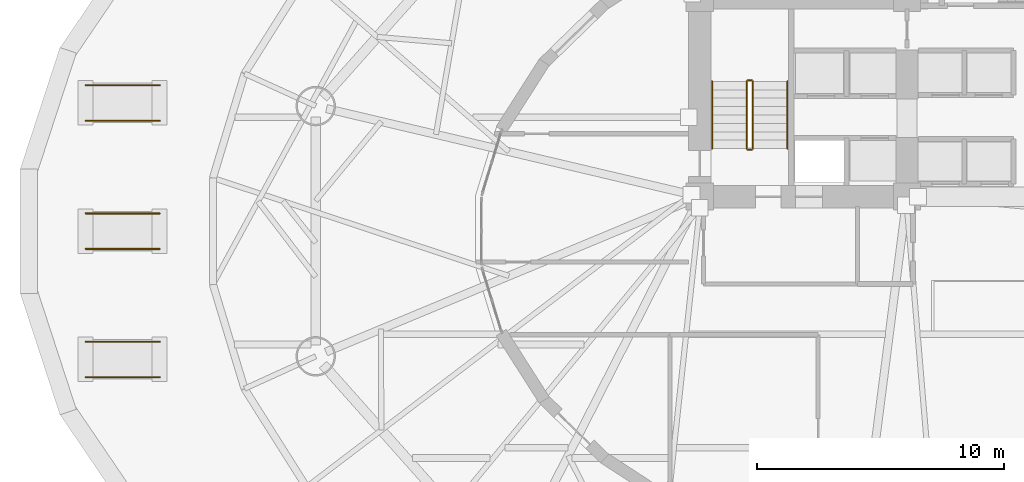
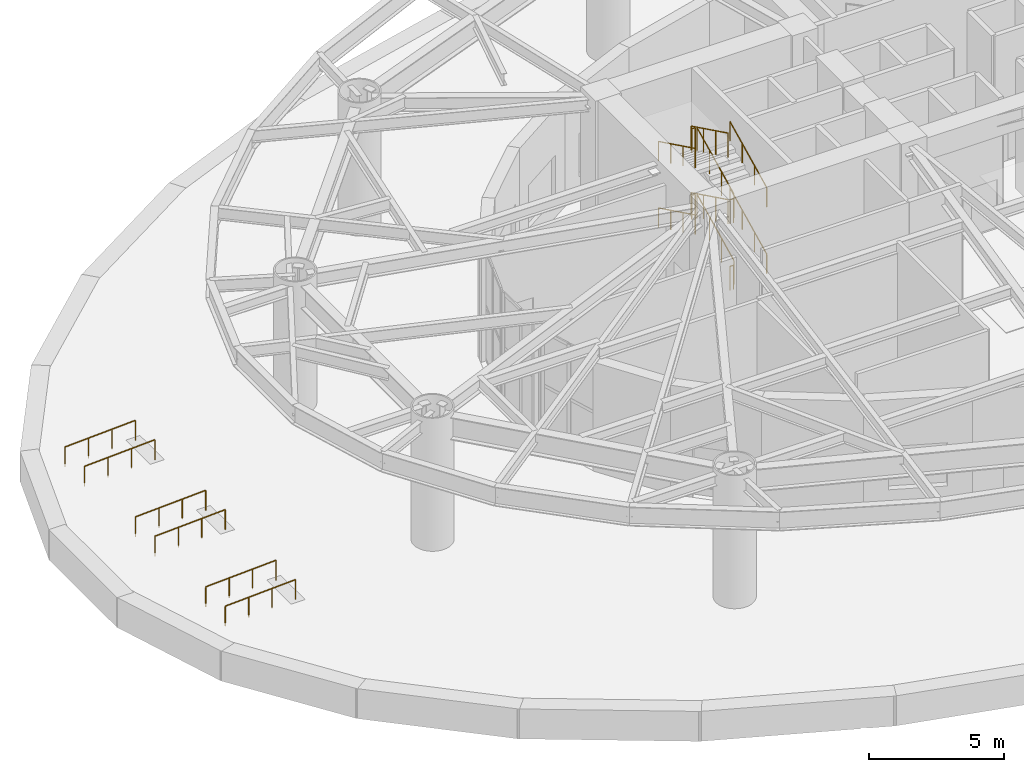
# One storey, part 18 of 21: 18 railings.
"""IFC4 building model written with IfcOpenShell, lengths in metres."""

from ifc_helpers import new_model, si_unit, direction, frame, origin, origin_2d, place, context, subcontext, project, spatial, circle, extrude, material, type_object, element, save


model = new_model("IFC4")

# Units and contexts
model_context = context("Model", 3, precision=1e-05, world=origin(), true_north=direction((0.0, 1.0)))
body_context = subcontext(model_context, "Body", "Model", "MODEL_VIEW")
ifc_project = project(units=[si_unit("LENGTHUNIT", "METRE"), si_unit("AREAUNIT", "SQUARE_METRE"), si_unit("VOLUMEUNIT", "CUBIC_METRE"), si_unit("PLANEANGLEUNIT", "RADIAN"), si_unit("MASSUNIT", "GRAM", prefix="KILO")], contexts=[model_context])

# Site, building, storey
site_placement = place(None, origin())
site = spatial("IfcSite", under=ifc_project, at=site_placement, CompositionType="ELEMENT")
building_placement = place(site_placement, origin())
building = spatial("IfcBuilding", under=site, at=building_placement, Name="Keldmark Tower", CompositionType="ELEMENT")
storey_placement = place(building_placement, origin())
storey = spatial("IfcBuildingStorey", under=building, at=storey_placement, Name="L00", CompositionType="ELEMENT", Elevation=0.0)

# Railings
ifc_material_1 = material(Name="Brushed Stainless Alloy 316L", Category="metal")
railing_type_1 = type_object("IfcRailingType", Name="Accessible Ramp Stainless Handrail 920 mm", PredefinedType="HANDRAIL", material=ifc_material_1)
for number, where, name in (
    (1, (-38.5, -5.919921875, -0.14990234375), "L00 Ramp Handrail W1-L"),
    (2, (-38.5, -4.47998046875, -0.14990234375), "L00 Ramp Handrail W1-R"),
    (3, (-38.5, -0.719970703125, -0.14990234375), "L00 Ramp Handrail W2-L"),
    (4, (-38.5, 0.719970703125, -0.14990234375), "L00 Ramp Handrail W2-R"),
    (5, (-38.5, 4.47998046875, -0.14990234375), "L00 Ramp Handrail W3-L"),
    (6, (-38.5, 5.919921875, -0.14990234375), "L00 Ramp Handrail W3-R"),
):
    element("IfcRailing", number, at=place(storey_placement, frame(where)), inside=storey, type_object=railing_type_1, Name=name, PredefinedType="HANDRAIL", context=body_context, shape_type="SweptSolid", body=[
        extrude(circle(Radius=0.02392578125, at=origin_2d()), frame((0.0, 0.0, 0.89599609375), z_axis=(0.998753959874, 0.0, 0.049905186472), x_axis=(0.0, 1.0, 0.0)), (0.0, 0.0, 1.0), 3.003662109375),
        extrude(circle(Radius=0.02099609375, at=origin_2d()), origin(), (0.0, 0.0, 1.0), 0.871826171875),
        extrude(circle(Radius=0.02099609375, at=origin_2d()), frame((1.0, 0.0, 0.050048828125)), (0.0, 0.0, 1.0), 0.871826171875),
        extrude(circle(Radius=0.02099609375, at=origin_2d()), frame((2.0, 0.0, 0.099853515625)), (0.0, 0.0, 1.0), 0.871826171875),
        extrude(circle(Radius=0.02099609375, at=origin_2d()), frame((3.0, 0.0, 0.14990234375)), (0.0, 0.0, 1.0), 0.871826171875),
    ])
ifc_material_2 = material(Name="Painted Steel ASTM A500 Grade B", Category="steel")
railing_type_2 = type_object("IfcRailingType", Name="Painted Steel Stair Well Guard 1100 mm", PredefinedType="GUARDRAIL", material=ifc_material_2)
railing_1_placement = place(storey_placement, frame((-11.449951171875, 3.35009765625, 0.166748046875)))
element("IfcRailing", 7, at=railing_1_placement, inside=storey, type_object=railing_type_2, Name="L00 ST1 stair guard 1", PredefinedType="GUARDRAIL", context=body_context, shape_type="SweptSolid", body=[
    extrude(circle(Radius=0.02392578125, at=origin_2d()), frame((0.0, 0.0, 1.076171875), z_axis=(0.0, 0.897929466783, 0.4401393787), x_axis=(-1.0, 0.0, 0.0)), (0.0, 0.0, 1.0), 3.029052734375),
    extrude(circle(Radius=0.02099609375, at=origin_2d()), origin(), (0.0, 0.0, 1.0), 1.052001953125),
    extrude(circle(Radius=0.02099609375, at=origin_2d()), frame((0.0, 0.90673828125, 0.4443359375)), (0.0, 0.0, 1.0), 1.052001953125),
    extrude(circle(Radius=0.02099609375, at=origin_2d()), frame((0.0, 1.813232421875, 0.888916015625)), (0.0, 0.0, 1.0), 1.052001953125),
    extrude(circle(Radius=0.02099609375, at=origin_2d()), frame((0.0, 2.719970703125, 1.333251953125)), (0.0, 0.0, 1.0), 1.052001953125),
])
railing_2_placement = place(storey_placement, frame((-11.5, 6.1201171875, 1.5)))
element("IfcRailing", 8, at=railing_2_placement, inside=storey, type_object=railing_type_2, Name="L00 ST1 stair guard 2", PredefinedType="GUARDRAIL", context=body_context, shape_type="SweptSolid", body=[
    extrude(circle(Radius=0.02392578125, at=origin_2d()), frame((0.0, 0.0, 1.076171875), z_axis=(-1.0, 0.0, 0.0), x_axis=(0.0, -1.0, 0.0)), (0.0, 0.0, 1.0), 0.14990234375),
    extrude(circle(Radius=0.02099609375, at=origin_2d()), origin(), (0.0, 0.0, 1.0), 1.052001953125),
    extrude(circle(Radius=0.02099609375, at=origin_2d()), frame((-0.14990234375, 0.0, 0.0)), (0.0, 0.0, 1.0), 1.052001953125),
])
railing_3_placement = place(storey_placement, frame((-11.699951171875, 6.070068359375, 1.666748046875)))
element("IfcRailing", 9, at=railing_3_placement, inside=storey, type_object=railing_type_2, Name="L00 ST1 stair guard 3", PredefinedType="GUARDRAIL", context=body_context, shape_type="SweptSolid", body=[
    extrude(circle(Radius=0.02392578125, at=origin_2d()), frame((0.0, 0.0, 1.076171875), z_axis=(0.0, -0.897929466783, 0.4401393787), x_axis=(1.0, 0.0, 0.0)), (0.0, 0.0, 1.0), 3.029052734375),
    extrude(circle(Radius=0.02099609375, at=origin_2d()), origin(), (0.0, 0.0, 1.0), 1.052001953125),
    extrude(circle(Radius=0.02099609375, at=origin_2d()), frame((0.0, -0.90673828125, 0.4443359375)), (0.0, 0.0, 1.0), 1.052001953125),
    extrude(circle(Radius=0.02099609375, at=origin_2d()), frame((0.0, -1.813232421875, 0.888916015625)), (0.0, 0.0, 1.0), 1.052001953125),
    extrude(circle(Radius=0.02099609375, at=origin_2d()), frame((0.0, -2.719970703125, 1.333251953125)), (0.0, 0.0, 1.0), 1.052001953125),
])
railing_4_placement = place(storey_placement, frame((-11.5, 3.300048828125, 3.0)))
element("IfcRailing", 10, at=railing_4_placement, inside=storey, type_object=railing_type_2, Name="L00 ST1 stair guard 4", PredefinedType="GUARDRAIL", context=body_context, shape_type="SweptSolid", body=[
    extrude(circle(Radius=0.02392578125, at=origin_2d()), frame((0.0, 0.0, 1.076171875), z_axis=(-1.0, 0.0, 0.0), x_axis=(0.0, -1.0, 0.0)), (0.0, 0.0, 1.0), 0.14990234375),
    extrude(circle(Radius=0.02099609375, at=origin_2d()), origin(), (0.0, 0.0, 1.0), 1.052001953125),
    extrude(circle(Radius=0.02099609375, at=origin_2d()), frame((-0.14990234375, 0.0, 0.0)), (0.0, 0.0, 1.0), 1.052001953125),
])
railing_5_placement = place(storey_placement, frame((-11.449951171875, 3.35009765625, 3.166748046875)))
element("IfcRailing", 11, at=railing_5_placement, inside=storey, type_object=railing_type_2, Name="L00 ST1 stair guard 5", PredefinedType="GUARDRAIL", context=body_context, shape_type="SweptSolid", body=[
    extrude(circle(Radius=0.02392578125, at=origin_2d()), frame((0.0, 0.0, 1.076171875), z_axis=(0.0, 0.897929466783, 0.4401393787), x_axis=(-1.0, 0.0, 0.0)), (0.0, 0.0, 1.0), 3.029052734375),
    extrude(circle(Radius=0.02099609375, at=origin_2d()), origin(), (0.0, 0.0, 1.0), 1.052001953125),
    extrude(circle(Radius=0.02099609375, at=origin_2d()), frame((0.0, 0.90673828125, 0.4443359375)), (0.0, 0.0, 1.0), 1.052001953125),
    extrude(circle(Radius=0.02099609375, at=origin_2d()), frame((0.0, 1.813232421875, 0.888916015625)), (0.0, 0.0, 1.0), 1.052001953125),
    extrude(circle(Radius=0.02099609375, at=origin_2d()), frame((0.0, 2.719970703125, 1.333251953125)), (0.0, 0.0, 1.0), 1.052001953125),
])
railing_6_placement = place(storey_placement, frame((-11.5, 6.1201171875, 4.5)))
element("IfcRailing", 12, at=railing_6_placement, inside=storey, type_object=railing_type_2, Name="L00 ST1 stair guard 6", PredefinedType="GUARDRAIL", context=body_context, shape_type="SweptSolid", body=[
    extrude(circle(Radius=0.02392578125, at=origin_2d()), frame((0.0, 0.0, 1.076171875), z_axis=(-1.0, 0.0, 0.0), x_axis=(0.0, -1.0, 0.0)), (0.0, 0.0, 1.0), 0.14990234375),
    extrude(circle(Radius=0.02099609375, at=origin_2d()), origin(), (0.0, 0.0, 1.0), 1.052001953125),
    extrude(circle(Radius=0.02099609375, at=origin_2d()), frame((-0.14990234375, 0.0, 0.0)), (0.0, 0.0, 1.0), 1.052001953125),
])
railing_7_placement = place(storey_placement, frame((-11.699951171875, 6.070068359375, 4.666748046875)))
element("IfcRailing", 13, at=railing_7_placement, inside=storey, type_object=railing_type_2, Name="L00 ST1 stair guard 7", PredefinedType="GUARDRAIL", context=body_context, shape_type="SweptSolid", body=[
    extrude(circle(Radius=0.02392578125, at=origin_2d()), frame((0.0, 0.0, 1.076171875), z_axis=(0.0, -0.897929466783, 0.4401393787), x_axis=(1.0, 0.0, 0.0)), (0.0, 0.0, 1.0), 3.029052734375),
    extrude(circle(Radius=0.02099609375, at=origin_2d()), origin(), (0.0, 0.0, 1.0), 1.052001953125),
    extrude(circle(Radius=0.02099609375, at=origin_2d()), frame((0.0, -0.90673828125, 0.4443359375)), (0.0, 0.0, 1.0), 1.052001953125),
    extrude(circle(Radius=0.02099609375, at=origin_2d()), frame((0.0, -1.813232421875, 0.888916015625)), (0.0, 0.0, 1.0), 1.052001953125),
    extrude(circle(Radius=0.02099609375, at=origin_2d()), frame((0.0, -2.719970703125, 1.333251953125)), (0.0, 0.0, 1.0), 1.052001953125),
])
railing_8_placement = place(storey_placement, frame((-11.5, 3.300048828125, 0.0)))
element("IfcRailing", 14, at=railing_8_placement, inside=storey, type_object=railing_type_2, Name="L00 ST1 stair guard 8", PredefinedType="GUARDRAIL", context=body_context, shape_type="SweptSolid", body=[
    extrude(circle(Radius=0.02392578125, at=origin_2d()), frame((0.0, 0.0, 1.076171875), z_axis=(-1.0, 0.0, 0.0), x_axis=(0.0, -1.0, 0.0)), (0.0, 0.0, 1.0), 0.14990234375),
    extrude(circle(Radius=0.02099609375, at=origin_2d()), origin(), (0.0, 0.0, 1.0), 1.052001953125),
    extrude(circle(Radius=0.02099609375, at=origin_2d()), frame((-0.14990234375, 0.0, 0.0)), (0.0, 0.0, 1.0), 1.052001953125),
])
ifc_material_3 = material(Name="Stainless Steel AISI 316L", Category="steel")
railing_type_3 = type_object("IfcRailingType", Name="Stainless Steel Stair Handrail 900 mm", PredefinedType="HANDRAIL", material=ifc_material_3)
railing_9_placement = place(storey_placement, frame((-10.050048828125, 3.35009765625, 0.166748046875)))
element("IfcRailing", 15, at=railing_9_placement, inside=storey, type_object=railing_type_3, Name="L00 ST1 stair handrail 1", PredefinedType="HANDRAIL", context=body_context, shape_type="SweptSolid", body=[
    extrude(circle(Radius=0.02392578125, at=origin_2d()), frame((0.0, 0.0, 0.8759765625), z_axis=(0.0, 0.897929466783, 0.4401393787), x_axis=(-1.0, 0.0, 0.0)), (0.0, 0.0, 1.0), 3.029052734375),
    extrude(circle(Radius=0.02099609375, at=origin_2d()), origin(), (0.0, 0.0, 1.0), 0.851806640625),
    extrude(circle(Radius=0.02099609375, at=origin_2d()), frame((0.0, 0.90673828125, 0.4443359375)), (0.0, 0.0, 1.0), 0.851806640625),
    extrude(circle(Radius=0.02099609375, at=origin_2d()), frame((0.0, 1.813232421875, 0.888916015625)), (0.0, 0.0, 1.0), 0.851806640625),
    extrude(circle(Radius=0.02099609375, at=origin_2d()), frame((0.0, 2.719970703125, 1.333251953125)), (0.0, 0.0, 1.0), 0.851806640625),
])
railing_10_placement = place(storey_placement, frame((-13.10009765625, 6.070068359375, 1.666748046875)))
element("IfcRailing", 16, at=railing_10_placement, inside=storey, type_object=railing_type_3, Name="L00 ST1 stair handrail 2", PredefinedType="HANDRAIL", context=body_context, shape_type="SweptSolid", body=[
    extrude(circle(Radius=0.02392578125, at=origin_2d()), frame((0.0, 0.0, 0.8759765625), z_axis=(0.0, -0.897929466783, 0.4401393787), x_axis=(1.0, 0.0, 0.0)), (0.0, 0.0, 1.0), 3.029052734375),
    extrude(circle(Radius=0.02099609375, at=origin_2d()), origin(), (0.0, 0.0, 1.0), 0.851806640625),
    extrude(circle(Radius=0.02099609375, at=origin_2d()), frame((0.0, -0.90673828125, 0.4443359375)), (0.0, 0.0, 1.0), 0.851806640625),
    extrude(circle(Radius=0.02099609375, at=origin_2d()), frame((0.0, -1.813232421875, 0.888916015625)), (0.0, 0.0, 1.0), 0.851806640625),
    extrude(circle(Radius=0.02099609375, at=origin_2d()), frame((0.0, -2.719970703125, 1.333251953125)), (0.0, 0.0, 1.0), 0.851806640625),
])
railing_11_placement = place(storey_placement, frame((-10.050048828125, 3.35009765625, 3.166748046875)))
element("IfcRailing", 17, at=railing_11_placement, inside=storey, type_object=railing_type_3, Name="L00 ST1 stair handrail 3", PredefinedType="HANDRAIL", context=body_context, shape_type="SweptSolid", body=[
    extrude(circle(Radius=0.02392578125, at=origin_2d()), frame((0.0, 0.0, 0.8759765625), z_axis=(0.0, 0.897929466783, 0.4401393787), x_axis=(-1.0, 0.0, 0.0)), (0.0, 0.0, 1.0), 3.029052734375),
    extrude(circle(Radius=0.02099609375, at=origin_2d()), origin(), (0.0, 0.0, 1.0), 0.851806640625),
    extrude(circle(Radius=0.02099609375, at=origin_2d()), frame((0.0, 0.90673828125, 0.4443359375)), (0.0, 0.0, 1.0), 0.851806640625),
    extrude(circle(Radius=0.02099609375, at=origin_2d()), frame((0.0, 1.813232421875, 0.888916015625)), (0.0, 0.0, 1.0), 0.851806640625),
    extrude(circle(Radius=0.02099609375, at=origin_2d()), frame((0.0, 2.719970703125, 1.333251953125)), (0.0, 0.0, 1.0), 0.851806640625),
])
railing_12_placement = place(storey_placement, frame((-13.10009765625, 6.070068359375, 4.666748046875)))
element("IfcRailing", 18, at=railing_12_placement, inside=storey, type_object=railing_type_3, Name="L00 ST1 stair handrail 4", PredefinedType="HANDRAIL", context=body_context, shape_type="SweptSolid", body=[
    extrude(circle(Radius=0.02392578125, at=origin_2d()), frame((0.0, 0.0, 0.8759765625), z_axis=(0.0, -0.897929466783, 0.4401393787), x_axis=(1.0, 0.0, 0.0)), (0.0, 0.0, 1.0), 3.029052734375),
    extrude(circle(Radius=0.02099609375, at=origin_2d()), origin(), (0.0, 0.0, 1.0), 0.851806640625),
    extrude(circle(Radius=0.02099609375, at=origin_2d()), frame((0.0, -0.90673828125, 0.4443359375)), (0.0, 0.0, 1.0), 0.851806640625),
    extrude(circle(Radius=0.02099609375, at=origin_2d()), frame((0.0, -1.813232421875, 0.888916015625)), (0.0, 0.0, 1.0), 0.851806640625),
    extrude(circle(Radius=0.02099609375, at=origin_2d()), frame((0.0, -2.719970703125, 1.333251953125)), (0.0, 0.0, 1.0), 0.851806640625),
])

save(model, "model.ifc")
